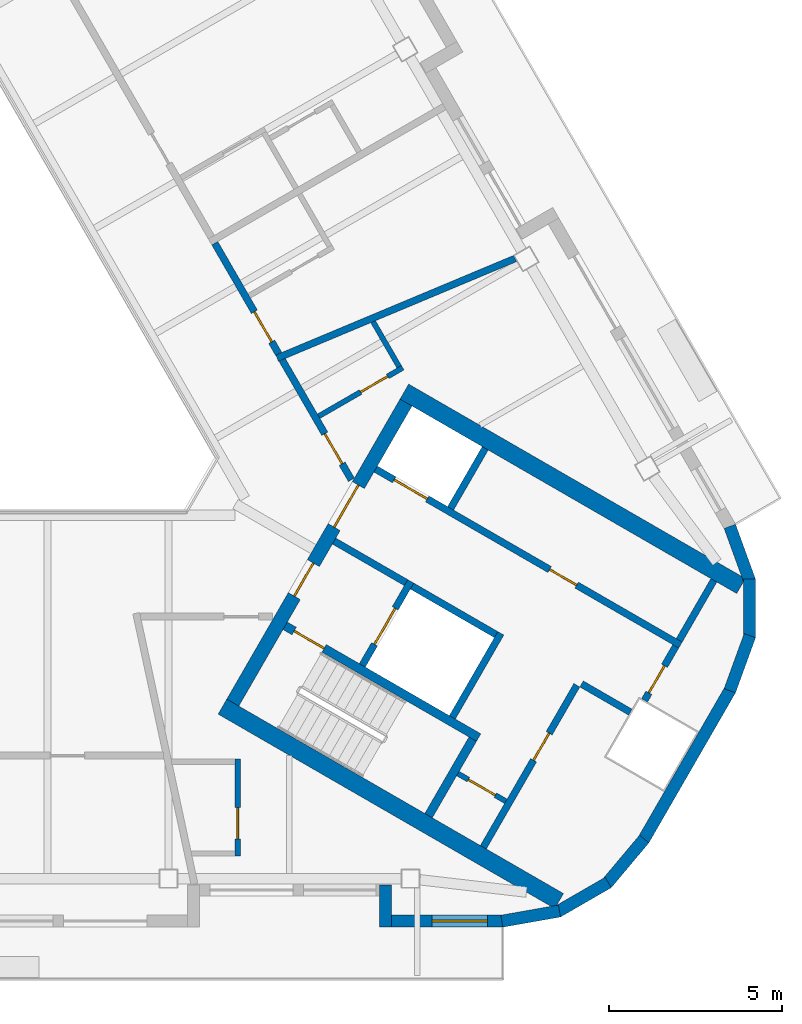
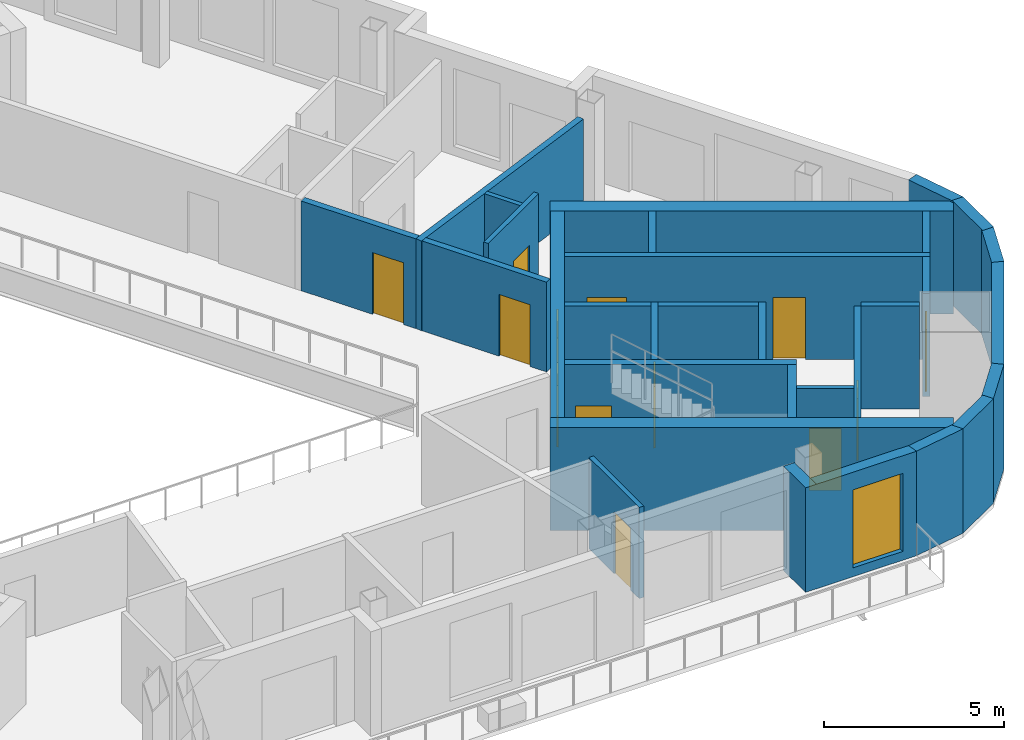
# One storey, part 5 of 12: 31 walls, 13 doors, 1 window, 14 openings.
"""IFC4 building model written with IfcOpenShell, lengths in metres."""

import ifcopenshell
import ifcopenshell.guid

model = None  # the IFC model being written
_history = None  # IfcOwnerHistory: only IFC2X3 demands one
_inside = {}  # id of a spatial element -> (the spatial element, [elements in it])
_under = {}  # id of a project, library or spatial element -> (it, [spatial elements below it])
_declared = {}  # id of a project -> (the project, [libraries it declares])
_typed = {}  # id of a type object -> (the type object, [elements of that type])
_made_of = {}  # id of a material, layer set ... -> (it, [elements and type objects made of it])


def new_model(schema):
    """Start an empty IFC model of exactly this schema.

    Asked for "IFC4X3", IfcOpenShell would pick the latest addendum, in which some entities
    have other attributes; the version numbers below select the first issue.
    IFC2X3 requires an IfcOwnerHistory on every rooted entity: one is made here for all.
    """
    global model, _history
    if schema == "IFC4X3":
        model = ifcopenshell.file(schema_version=(4, 3, 0, 0))
    else:
        model = ifcopenshell.file(schema=schema)
    _inside.clear()
    _under.clear()
    _declared.clear()
    _typed.clear()
    _made_of.clear()
    _history = None
    if model.schema == "IFC2X3":
        org = make("IfcOrganization", Name="unknown")
        user = make(
            "IfcPersonAndOrganization",
            ThePerson=make("IfcPerson", FamilyName="unknown"),
            TheOrganization=org,
        )
        app = make(
            "IfcApplication",
            ApplicationDeveloper=org,
            Version="unknown",
            ApplicationFullName="unknown",
            ApplicationIdentifier="unknown",
        )
        _history = make(
            "IfcOwnerHistory",
            OwningUser=user,
            OwningApplication=app,
            ChangeAction="ADDED",
            CreationDate=0,
        )
    return model


def make(cls, **values):
    """One entity of the class cls with the attributes given. An attribute that is None is left unset."""
    return model.create_entity(
        cls, **{name: value for name, value in values.items() if value is not None}
    )


def rooted(cls, **values):
    """An entity with a GlobalId (a new one), such as an element, a storey or a relation."""
    return make(cls, GlobalId=ifcopenshell.guid.new(), OwnerHistory=_history, **values)


def si_unit(unit_type, name, prefix=None):
    """IfcSIUnit, for example si_unit("LENGTHUNIT", "METRE", prefix="MILLI")."""
    return make("IfcSIUnit", UnitType=unit_type, Prefix=prefix, Name=name)


def assignment(units):
    """IfcUnitAssignment: the units of a project."""
    return None if units is None else make("IfcUnitAssignment", Units=units)


def point(xyz):
    """IfcCartesianPoint."""
    return None if xyz is None else make("IfcCartesianPoint", Coordinates=xyz)


def direction(xyz):
    """IfcDirection."""
    return None if xyz is None else make("IfcDirection", DirectionRatios=xyz)


def frame(location, z_axis=None, x_axis=None):
    """IfcAxis2Placement3D, a coordinate frame: its origin and axes. An axis left out is left unset."""
    return make(
        "IfcAxis2Placement3D",
        Location=point(location),
        Axis=direction(z_axis),
        RefDirection=direction(x_axis),
    )


def frame_2d(location, x_axis=None):
    """IfcAxis2Placement2D, a coordinate frame in the plane: its origin and x axis."""
    return make(
        "IfcAxis2Placement2D", Location=point(location), RefDirection=direction(x_axis)
    )


def origin():
    """The frame at (0, 0, 0) with its axes left unset."""
    return frame((0.0, 0.0, 0.0))


def place(relative_to, where):
    """IfcLocalPlacement: puts the frame where relative to a parent placement (None: the world)."""
    return make(
        "IfcLocalPlacement", PlacementRelTo=relative_to, RelativePlacement=where
    )


def context(
    kind, dimensions, precision=None, world=None, true_north=None, identifier=None
):
    """IfcGeometricRepresentationContext, for example the 3D "Model" context."""
    return make(
        "IfcGeometricRepresentationContext",
        ContextIdentifier=identifier,
        ContextType=kind,
        CoordinateSpaceDimension=dimensions,
        Precision=precision,
        WorldCoordinateSystem=world,
        TrueNorth=true_north,
    )


def subcontext(parent, identifier, kind, view, scale=None):
    """IfcGeometricRepresentationSubContext, for example "Body" below "Model"."""
    return make(
        "IfcGeometricRepresentationSubContext",
        ContextIdentifier=identifier,
        ContextType=kind,
        ParentContext=parent,
        TargetScale=scale,
        TargetView=view,
    )


def project(units=None, contexts=None):
    """IfcProject with its units and contexts."""
    return rooted(
        "IfcProject",
        Name="project",
        RepresentationContexts=contexts,
        UnitsInContext=assignment(units),
    )


def spatial(cls, under=None, at=None, **own):
    """A site, building, storey or space (cls), placed at a placement, below another one or the project."""
    s = rooted(cls, ObjectPlacement=at, **own)
    if under is not None:
        _under.setdefault(under.id(), (under, []))[1].append(s)
    return s


def profile(cls, at=None, kind="AREA", **sizes):
    """A parametric profile (cls). Its sizes go by their IFC names, for example OverallWidth=200.0."""
    return make(cls, ProfileType=kind, Position=at, **sizes)


def rectangle(**sizes):
    """IfcRectangleProfileDef."""
    return profile("IfcRectangleProfileDef", **sizes)


def extrude(swept, where, along, depth):
    """IfcExtrudedAreaSolid: the profile swept, set in the frame where, extruded along a direction by depth."""
    return make(
        "IfcExtrudedAreaSolid",
        SweptArea=swept,
        Position=where,
        ExtrudedDirection=direction(along),
        Depth=depth,
    )


def shape(context_of_items, identifier, shape_type, items):
    """IfcShapeRepresentation: the items that make up one representation, for example the "Body"."""
    return make(
        "IfcShapeRepresentation",
        ContextOfItems=context_of_items,
        RepresentationIdentifier=identifier,
        RepresentationType=shape_type,
        Items=items,
    )


def material(Name=None, Category=None):
    """IfcMaterial."""
    return make("IfcMaterial", Name=Name, Category=Category)


def layer(
    of_material, thickness, ventilated=None, Name=None, Category=None, Priority=None
):
    """IfcMaterialLayer: one layer of a wall or slab, of a material (None: an air gap)."""
    return make(
        "IfcMaterialLayer",
        Material=of_material,
        LayerThickness=thickness,
        IsVentilated=ventilated,
        Name=Name,
        Category=Category,
        Priority=Priority,
    )


def layer_set(layers, Name=None):
    """IfcMaterialLayerSet."""
    return make("IfcMaterialLayerSet", MaterialLayers=layers, LayerSetName=Name)


def made_of(thing, what):
    """Note that an element or type object is made of a material, layer set ...; save() writes the relation."""
    if what is not None:
        _made_of.setdefault(what.id(), (what, []))[1].append(thing)
    return thing


def type_object(cls, material=None, **own):
    """A type object (cls), such as IfcWallType, which elements share."""
    return made_of(rooted(cls, **own), material)


def element(
    cls,
    number,
    at=None,
    inside=None,
    cuts=None,
    type_object=None,
    material=None,
    context=None,
    identifier="Body",
    shape_type=None,
    held_by="IfcProductDefinitionShape",
    body=None,
    shapes=None,
    **own,
):
    """One element of the class cls, such as IfcWall. Its Tag is "e" and its number.

    at: its placement. inside: the storey or other place that contains it. cuts: it is an
    opening in that element (IfcRelVoidsElement). A single representation is given by context,
    identifier, shape_type and body (its items); several are given by shapes. held_by: the class
    of the entity that holds the representations. save() writes the other relations.
    """
    e = rooted(cls, Tag="e%d" % number, ObjectPlacement=at, **own)
    if body is not None:
        shapes = [shape(context, identifier, shape_type, body)]
    if shapes is not None:
        e.Representation = make(held_by, Representations=shapes)
    if inside is not None:
        _inside.setdefault(inside.id(), (inside, []))[1].append(e)
    if cuts is not None:
        rooted(
            "IfcRelVoidsElement", RelatingBuildingElement=cuts, RelatedOpeningElement=e
        )
    if type_object is not None:
        _typed.setdefault(type_object.id(), (type_object, []))[1].append(e)
    return made_of(e, material)


def fill(opening, filler):
    """IfcRelFillsElement: the door or window that sits in an opening."""
    return rooted(
        "IfcRelFillsElement",
        RelatingOpeningElement=opening,
        RelatedBuildingElement=filler,
    )


def aggregate(whole, parts):
    """IfcRelAggregates: a whole, such as a stair, and the parts it consists of."""
    return rooted("IfcRelAggregates", RelatingObject=whole, RelatedObjects=parts)


def save(model, path):
    """Write the relations noted so far, then the file.

    IfcRelAggregates (storeys below a building ...), IfcRelContainedInSpatialStructure (elements
    in a storey), IfcRelDefinesByType, IfcRelAssociatesMaterial and IfcRelDeclares: one each for
    every whole, place, type object, material and project.
    """
    for whole, parts in _under.values():
        aggregate(whole, parts)
    for where, things in _inside.values():
        rooted(
            "IfcRelContainedInSpatialStructure",
            RelatedElements=things,
            RelatingStructure=where,
        )
    for kind, things in _typed.values():
        rooted("IfcRelDefinesByType", RelatedObjects=things, RelatingType=kind)
    for what, things in _made_of.values():
        rooted("IfcRelAssociatesMaterial", RelatedObjects=things, RelatingMaterial=what)
    for by, libraries in _declared.values():
        rooted("IfcRelDeclares", RelatingContext=by, RelatedDefinitions=libraries)
    model.write(path)


model = new_model("IFC4")

# Units and contexts
model_context = context("Model", 3, precision=1e-05, world=origin(), true_north=direction((0.0, 1.0)))
body_context = subcontext(model_context, "Body", "Model", "MODEL_VIEW")
ifc_project = project(units=[si_unit("LENGTHUNIT", "METRE"), si_unit("AREAUNIT", "SQUARE_METRE"), si_unit("VOLUMEUNIT", "CUBIC_METRE"), si_unit("PLANEANGLEUNIT", "RADIAN"), si_unit("MASSUNIT", "GRAM", prefix="KILO")], contexts=[model_context])

# Site, building, storey
site_placement = place(None, origin())
site = spatial("IfcSite", under=ifc_project, at=site_placement, CompositionType="ELEMENT")
building_placement = place(site_placement, origin())
building = spatial("IfcBuilding", under=site, at=building_placement, Name="Apuvela Tower Hotel", CompositionType="ELEMENT")
storey_placement = place(building_placement, frame((0.0, 0.0, 294.800048828125)))
storey = spatial("IfcBuildingStorey", under=building, at=storey_placement, Name="L73", CompositionType="ELEMENT", Elevation=294.800048828125)

# Wall, openings, doors
ifc_material_1 = material(Name="Concrete C50/60", Category="concrete")
ifc_layer_1 = layer(ifc_material_1, 0.39990234375)
ifc_layer_set_1 = layer_set([ifc_layer_1], Name="COR-WALL-CORE-400")
wall_type_1 = type_object("IfcWallType", Name="COR-WALL-CORE-400", PredefinedType="SHEAR", material=ifc_layer_set_1)
wall_1_placement = place(storey_placement, frame((8.844970703125, -10.880126953125, 0.0), z_axis=(0.0, 0.0, 1.0), x_axis=(0.500004234368, 0.866022959057, 0.0)))
wall_1 = element("IfcWall", 1, at=wall_1_placement, inside=storey, type_object=wall_type_1, Name="Core wall SE", PredefinedType="SHEAR", context=body_context, shape_type="SweptSolid", body=[
    extrude(rectangle(XDim=10.0, YDim=0.39990234375, at=frame_2d((5.0, 0.0))), origin(), (0.0, 0.0, 1.0), 3.5),
])
opening_1_placement = place(wall_1_placement, frame((3.550048828125, 0.0, 0.0)))
opening_1 = element("IfcOpeningElement", 2, at=opening_1_placement, cuts=wall_1, Name="Opening E-FD", PredefinedType="OPENING", context=body_context, shape_type="SweptSolid", body=[
    extrude(rectangle(XDim=1.10009765625, YDim=2.10009765625, at=frame_2d((0.550048828125, 1.050048828125))), frame((0.0, 0.2099609375, 0.0), z_axis=(0.0, -1.0, 0.0), x_axis=(1.0, 0.0, 0.0)), (0.0, 0.0, 1.0), 0.419921875),
])
opening_2_placement = place(wall_1_placement, frame((5.85009765625, 0.0, 0.0)))
opening_2 = element("IfcOpeningElement", 3, at=opening_2_placement, cuts=wall_1, Name="Opening E-GD", PredefinedType="OPENING", context=body_context, shape_type="SweptSolid", body=[
    extrude(rectangle(XDim=1.39990234375, YDim=2.10009765625, at=frame_2d((0.699951171875, 1.050048828125))), frame((0.0, 0.2099609375, 0.0), z_axis=(0.0, -1.0, 0.0), x_axis=(1.0, 0.0, 0.0)), (0.0, 0.0, 1.0), 0.419921875),
])
ifc_material_2 = material(Name="Steel fire door, powder coated", Category="steel")
door_type_1 = type_object("IfcDoorType", Name="COR-FD-1100", OperationType="NOTDEFINED", PredefinedType="DOOR", material=ifc_material_2)
door_1_placement = place(opening_1_placement, frame((1.10009765625, 0.0, 0.0), z_axis=(0.0, 0.0, 1.0), x_axis=(-1.0, 0.0, 0.0)))
door_1 = element("IfcDoor", 4, at=door_1_placement, inside=storey, type_object=door_type_1, Name="Firefighting lobby door E-FD", OperationType="SINGLE_SWING_LEFT", OverallHeight=2.10009765625, OverallWidth=1.10009765625, PredefinedType="DOOR", context=body_context, shape_type="SweptSolid", body=[
    extrude(rectangle(XDim=1.10009765625, YDim=2.10009765625, at=frame_2d((0.550048828125, 1.050048828125))), frame((0.0, 0.02490234375, 0.0), z_axis=(0.0, -1.0, 0.0), x_axis=(1.0, 0.0, 0.0)), (0.0, 0.0, 1.0), 0.050048828125),
])
fill(opening_1, door_1)
ifc_material_3 = material(Name="Glazed steel fire door", Category="steel")
door_type_2 = type_object("IfcDoorType", Name="COR-GD-1400", OperationType="DOUBLE_DOOR_SINGLE_SWING", PredefinedType="DOOR", material=ifc_material_3)
door_2_placement = place(opening_2_placement, frame((1.39990234375, 0.0, 0.0), z_axis=(0.0, 0.0, 1.0), x_axis=(-1.0, 0.0, 0.0)))
door_2 = element("IfcDoor", 5, at=door_2_placement, inside=storey, type_object=door_type_2, Name="Lift lobby door E-GD", OperationType="DOUBLE_DOOR_SINGLE_SWING", OverallHeight=2.10009765625, OverallWidth=1.39990234375, PredefinedType="DOOR", context=body_context, shape_type="SweptSolid", body=[
    extrude(rectangle(XDim=1.39990234375, YDim=2.10009765625, at=frame_2d((0.699951171875, 1.050048828125))), frame((0.0, 0.02490234375, 0.0), z_axis=(0.0, -1.0, 0.0), x_axis=(1.0, 0.0, 0.0)), (0.0, 0.0, 1.0), 0.050048828125),
])
fill(opening_2, door_2)

# Walls
ifc_layer_2 = layer(ifc_material_1, 0.5)
ifc_layer_set_2 = layer_set([ifc_layer_2], Name="COR-WALL-CORE-500")
wall_type_2 = type_object("IfcWallType", Name="COR-WALL-CORE-500", PredefinedType="SHEAR", material=ifc_layer_set_2)
for number, where, z_axis, x_axis, name in (
    (6, (8.546630859375, -10.99658203125, 0.0), (0.0, 0.0, 1.0), (0.866025449148, -0.499999921427, 0.0), "Core wall SE"),
    (7, (13.796630859375, -1.9033203125, 0.0), (0.0, 0.0, 1.0), (0.866025449148, -0.499999921427, 0.0), "Core wall SE"),
):
    element("IfcWall", number, at=place(storey_placement, frame(where, z_axis=z_axis, x_axis=x_axis)), inside=storey, type_object=wall_type_2, Name=name, PredefinedType="SHEAR", context=body_context, shape_type="SweptSolid", body=[
        extrude(rectangle(XDim=11.2216796875, YDim=0.5, at=frame_2d((5.61083984375, 0.0))), origin(), (0.0, 0.0, 1.0), 3.5),
    ])

# Wall, opening, door
ifc_material_4 = material(Name="Blockwork 150 mm plastered", Category="masonry")
ifc_layer_3 = layer(ifc_material_4, 0.14990234375)
ifc_layer_set_3 = layer_set([ifc_layer_3], Name="COR-WALL-PART-150")
wall_type_3 = type_object("IfcWallType", Name="COR-WALL-PART-150", PredefinedType="PARTITIONING", material=ifc_layer_set_3)
wall_2_placement = place(storey_placement, frame((15.341552734375, -12.927734375, 0.0), z_axis=(0.0, 0.0, 1.0), x_axis=(0.865989903783, -0.500061482766, 0.0)))
wall_2 = element("IfcWall", 8, at=wall_2_placement, inside=storey, type_object=wall_type_3, Name="Partition SE", PredefinedType="PARTITIONING", context=body_context, shape_type="SweptSolid", body=[
    extrude(rectangle(XDim=1.599853515625, YDim=0.14990234375, at=frame_2d((0.7998046875, 0.0))), origin(), (0.0, 0.0, 1.0), 3.5),
])
opening_3_placement = place(wall_2_placement, frame((0.35009765625, 0.0, 0.0)))
opening_3 = element("IfcOpeningElement", 9, at=opening_3_placement, cuts=wall_2, Name="Opening E-RD", PredefinedType="OPENING", context=body_context, shape_type="SweptSolid", body=[
    extrude(rectangle(XDim=0.89990234375, YDim=2.10009765625, at=frame_2d((0.449951171875, 1.050048828125))), frame((0.0, 0.0849609375, 0.0), z_axis=(0.0, -1.0, 0.0), x_axis=(1.0, 0.0, 0.0)), (0.0, 0.0, 1.0), 0.169921875),
])
ifc_material_5 = material(Name="Steel access door, powder coated", Category="steel")
door_type_3 = type_object("IfcDoorType", Name="COR-RD-900", OperationType="NOTDEFINED", PredefinedType="DOOR", material=ifc_material_5)
door_3_placement = place(opening_3_placement, frame((0.89990234375, 0.0, 0.0), z_axis=(0.0, 0.0, 1.0), x_axis=(-1.0, 0.0, 0.0)))
door_3 = element("IfcDoor", 10, at=door_3_placement, inside=storey, type_object=door_type_3, Name="Riser door E-RD", OperationType="SINGLE_SWING_LEFT", OverallHeight=2.10009765625, OverallWidth=0.89990234375, PredefinedType="DOOR", context=body_context, shape_type="SweptSolid", body=[
    extrude(rectangle(XDim=0.89990234375, YDim=2.10009765625, at=frame_2d((0.449951171875, 1.050048828125))), frame((0.0, 0.02490234375, 0.0), z_axis=(0.0, -1.0, 0.0), x_axis=(1.0, 0.0, 0.0)), (0.0, 0.0, 1.0), 0.050048828125),
])
fill(opening_3, door_3)

ifc_material_6 = material(Name="Blockwork 200 mm plastered", Category="masonry")
ifc_layer_4 = layer(ifc_material_6, 0.199951171875)
ifc_layer_set_4 = layer_set([ifc_layer_4], Name="COR-WALL-PART-200")
wall_type_4 = type_object("IfcWallType", Name="COR-WALL-PART-200", PredefinedType="PARTITIONING", material=ifc_layer_set_4)
wall_3_placement = place(storey_placement, frame((16.076171875, -15.05517578125, 0.0), z_axis=(0.0, 0.0, 1.0), x_axis=(0.499995103361, 0.866028230842, 0.0)))
wall_3 = element("IfcWall", 11, at=wall_3_placement, inside=storey, type_object=wall_type_4, Name="Partition SE", PredefinedType="PARTITIONING", context=body_context, shape_type="SweptSolid", body=[
    extrude(rectangle(XDim=5.39990234375, YDim=0.199951171875, at=frame_2d((2.699951171875, 0.0))), origin(), (0.0, 0.0, 1.0), 3.5),
])
opening_4_placement = place(wall_3_placement, frame((2.89990234375, 0.0, 0.0)))
opening_4 = element("IfcOpeningElement", 12, at=opening_4_placement, cuts=wall_3, Name="Opening E-RS1", PredefinedType="OPENING", context=body_context, shape_type="SweptSolid", body=[
    extrude(rectangle(XDim=0.89990234375, YDim=2.10009765625, at=frame_2d((0.449951171875, 1.050048828125))), frame((0.0, 0.10986328125, 0.0), z_axis=(0.0, -1.0, 0.0), x_axis=(1.0, 0.0, 0.0)), (0.0, 0.0, 1.0), 0.219970703125),
])
door_type_4 = type_object("IfcDoorType", Name="COR-DR-900", OperationType="NOTDEFINED", PredefinedType="DOOR", material=ifc_material_2)
door_4_placement = place(opening_4_placement, frame((0.89990234375, 0.0, 0.0), z_axis=(0.0, 0.0, 1.0), x_axis=(-1.0, 0.0, 0.0)))
door_4 = element("IfcDoor", 13, at=door_4_placement, inside=storey, type_object=door_type_4, Name="Store door E-RS1", OperationType="SINGLE_SWING_LEFT", OverallHeight=2.10009765625, OverallWidth=0.89990234375, PredefinedType="DOOR", context=body_context, shape_type="SweptSolid", body=[
    extrude(rectangle(XDim=0.89990234375, YDim=2.10009765625, at=frame_2d((0.449951171875, 1.050048828125))), frame((0.0, 0.02490234375, 0.0), z_axis=(0.0, -1.0, 0.0), x_axis=(1.0, 0.0, 0.0)), (0.0, 0.0, 1.0), 0.050048828125),
])
fill(opening_4, door_4)

# Wall
ifc_layer_5 = layer(ifc_material_1, 0.199951171875)
ifc_layer_set_5 = layer_set([ifc_layer_5], Name="COR-WALL-SHAFT-200")
wall_type_5 = type_object("IfcWallType", Name="COR-WALL-SHAFT-200", PredefinedType="SHEAR", material=ifc_layer_set_5)
wall_4_placement = place(storey_placement, frame((15.181396484375, -11.305419921875, 0.0), z_axis=(0.0, 0.0, 1.0), x_axis=(0.49994636267, 0.866056369097, 0.0)))
element("IfcWall", 14, at=wall_4_placement, inside=storey, type_object=wall_type_5, Name="Shaft wall SE", PredefinedType="SHEAR", context=body_context, shape_type="SweptSolid", body=[
    extrude(rectangle(XDim=2.800048828125, YDim=0.199951171875, at=frame_2d((1.39990234375, 0.0))), origin(), (0.0, 0.0, 1.0), 3.5),
])

# Wall, opening, door
wall_5_placement = place(storey_placement, frame((12.583251953125, -9.805419921875, 0.0), z_axis=(0.0, 0.0, 1.0), x_axis=(0.49994636267, 0.866056369097, 0.0)))
wall_5 = element("IfcWall", 15, at=wall_5_placement, inside=storey, type_object=wall_type_5, Name="Shaft wall SE", PredefinedType="SHEAR", context=body_context, shape_type="SweptSolid", body=[
    extrude(rectangle(XDim=2.800048828125, YDim=0.199951171875, at=frame_2d((1.39990234375, 0.0))), origin(), (0.0, 0.0, 1.0), 3.5),
])
opening_5_placement = place(wall_5_placement, frame((0.699951171875, 0.0, 0.0)))
opening_5 = element("IfcOpeningElement", 16, at=opening_5_placement, cuts=wall_5, Name="Opening E-LD-FS3", PredefinedType="OPENING", context=body_context, shape_type="SweptSolid", body=[
    extrude(rectangle(XDim=1.199951171875, YDim=2.10009765625, at=frame_2d((0.60009765625, 1.050048828125))), frame((0.0, 0.10986328125, 0.0), z_axis=(0.0, -1.0, 0.0), x_axis=(1.0, 0.0, 0.0)), (0.0, 0.0, 1.0), 0.219970703125),
])
ifc_material_7 = material(Name="Stainless steel lift landing door", Category="steel")
door_type_5 = type_object("IfcDoorType", Name="COR-LD-1200", OperationType="DOUBLE_DOOR_SLIDING", PredefinedType="DOOR", material=ifc_material_7)
door_5_placement = place(opening_5_placement, origin())
door_5 = element("IfcDoor", 17, at=door_5_placement, inside=storey, type_object=door_type_5, Name="Lift landing door E-LD-FS3", OperationType="DOUBLE_DOOR_SLIDING", OverallHeight=2.10009765625, OverallWidth=1.199951171875, PredefinedType="DOOR", context=body_context, shape_type="SweptSolid", body=[
    extrude(rectangle(XDim=1.199951171875, YDim=2.10009765625, at=frame_2d((0.60009765625, 1.050048828125))), frame((0.0, 0.02490234375, 0.0), z_axis=(0.0, -1.0, 0.0), x_axis=(1.0, 0.0, 0.0)), (0.0, 0.0, 1.0), 0.050048828125),
])
fill(opening_5, door_5)

# Walls
wall_6_placement = place(storey_placement, frame((11.76806640625, -6.217041015625, 0.0), z_axis=(0.0, 0.0, 1.0), x_axis=(0.866050077142, -0.499957262057, 0.0)))
element("IfcWall", 18, at=wall_6_placement, inside=storey, type_object=wall_type_5, Name="Shaft wall SE", PredefinedType="SHEAR", context=body_context, shape_type="SweptSolid", body=[
    extrude(rectangle(XDim=2.400146484375, YDim=0.199951171875, at=frame_2d((1.2001953125, 0.0))), origin(), (0.0, 0.0, 1.0), 3.5),
])
wall_7_placement = place(storey_placement, frame((14.019775390625, -7.51708984375, 0.0), z_axis=(0.0, 0.0, 1.0), x_axis=(0.866034573852, -0.49998411664, 0.0)))
element("IfcWall", 19, at=wall_7_placement, inside=storey, type_object=wall_type_5, Name="Shaft wall SE", PredefinedType="SHEAR", context=body_context, shape_type="SweptSolid", body=[
    extrude(rectangle(XDim=2.7998046875, YDim=0.199951171875, at=frame_2d((1.39990234375, 0.0))), origin(), (0.0, 0.0, 1.0), 3.5),
])

# Wall, openings, doors
wall_8_placement = place(storey_placement, frame((12.968017578125, -4.138427734375, 0.0), z_axis=(0.0, 0.0, 1.0), x_axis=(0.866028328073, -0.49999493495, 0.0)))
wall_8 = element("IfcWall", 20, at=wall_8_placement, inside=storey, type_object=wall_type_5, Name="Shaft wall SE", PredefinedType="SHEAR", context=body_context, shape_type="SweptSolid", body=[
    extrude(rectangle(XDim=10.16015625, YDim=0.199951171875, at=frame_2d((5.080078125, 0.0))), origin(), (0.0, 0.0, 1.0), 3.5),
])
opening_6_placement = place(wall_8_placement, frame((0.6201171875, 0.0, 0.0)))
opening_6 = element("IfcOpeningElement", 21, at=opening_6_placement, cuts=wall_8, Name="Opening E-LD-HR3", PredefinedType="OPENING", context=body_context, shape_type="SweptSolid", body=[
    extrude(rectangle(XDim=1.10009765625, YDim=2.10009765625, at=frame_2d((0.550048828125, 1.050048828125))), frame((0.0, 0.10986328125, 0.0), z_axis=(0.0, -1.0, 0.0), x_axis=(1.0, 0.0, 0.0)), (0.0, 0.0, 1.0), 0.219970703125),
])
opening_7_placement = place(wall_8_placement, frame((5.800048828125, 0.0, 0.0)))
opening_7 = element("IfcOpeningElement", 22, at=opening_7_placement, cuts=wall_8, Name="Opening E-RE2", PredefinedType="OPENING", context=body_context, shape_type="SweptSolid", body=[
    extrude(rectangle(XDim=0.89990234375, YDim=2.10009765625, at=frame_2d((0.449951171875, 1.050048828125))), frame((0.0, 0.10986328125, 0.0), z_axis=(0.0, -1.0, 0.0), x_axis=(1.0, 0.0, 0.0)), (0.0, 0.0, 1.0), 0.219970703125),
])
door_6_placement = place(opening_7_placement, origin())
door_6 = element("IfcDoor", 23, at=door_6_placement, inside=storey, type_object=door_type_4, Name="Store door E-RE2", OperationType="SINGLE_SWING_LEFT", OverallHeight=2.10009765625, OverallWidth=0.89990234375, PredefinedType="DOOR", context=body_context, shape_type="SweptSolid", body=[
    extrude(rectangle(XDim=0.89990234375, YDim=2.10009765625, at=frame_2d((0.449951171875, 1.050048828125))), frame((0.0, 0.02490234375, 0.0), z_axis=(0.0, -1.0, 0.0), x_axis=(1.0, 0.0, 0.0)), (0.0, 0.0, 1.0), 0.050048828125),
])
fill(opening_7, door_6)
door_type_6 = type_object("IfcDoorType", Name="COR-LD-1100", OperationType="DOUBLE_DOOR_SLIDING", PredefinedType="DOOR", material=ifc_material_7)
door_7_placement = place(opening_6_placement, origin())
door_7 = element("IfcDoor", 24, at=door_7_placement, inside=storey, type_object=door_type_6, Name="Lift landing door E-LD-HR3", OperationType="DOUBLE_DOOR_SLIDING", OverallHeight=2.10009765625, OverallWidth=1.10009765625, PredefinedType="DOOR", context=body_context, shape_type="SweptSolid", body=[
    extrude(rectangle(XDim=1.10009765625, YDim=2.10009765625, at=frame_2d((0.550048828125, 1.050048828125))), frame((0.0, 0.02490234375, 0.0), z_axis=(0.0, -1.0, 0.0), x_axis=(1.0, 0.0, 0.0)), (0.0, 0.0, 1.0), 0.050048828125),
])
fill(opening_6, door_7)

# Wall, opening, door
wall_9_placement = place(storey_placement, frame((20.73046875, -10.81396484375, 0.0), z_axis=(0.0, 0.0, 1.0), x_axis=(0.499961193289, 0.866047807691, 0.0)))
wall_9 = element("IfcWall", 25, at=wall_9_placement, inside=storey, type_object=wall_type_5, Name="Shaft wall SE", PredefinedType="SHEAR", context=body_context, shape_type="SweptSolid", body=[
    extrude(rectangle(XDim=1.800048828125, YDim=0.199951171875, at=frame_2d((0.89990234375, 0.0))), origin(), (0.0, 0.0, 1.0), 3.5),
])
opening_8_placement = place(wall_9_placement, frame((0.25, 0.0, 0.0)))
opening_8 = element("IfcOpeningElement", 26, at=opening_8_placement, cuts=wall_9, Name="Opening E-REP", PredefinedType="OPENING", context=body_context, shape_type="SweptSolid", body=[
    extrude(rectangle(XDim=0.89990234375, YDim=2.10009765625, at=frame_2d((0.449951171875, 1.050048828125))), frame((0.0, 0.10986328125, 0.0), z_axis=(0.0, -1.0, 0.0), x_axis=(1.0, 0.0, 0.0)), (0.0, 0.0, 1.0), 0.219970703125),
])
door_8_placement = place(opening_8_placement, frame((0.89990234375, 0.0, 0.0), z_axis=(0.0, 0.0, 1.0), x_axis=(-1.0, 0.0, 0.0)))
door_8 = element("IfcDoor", 27, at=door_8_placement, inside=storey, type_object=door_type_4, Name="Store door E-REP", OperationType="SINGLE_SWING_RIGHT", OverallHeight=2.10009765625, OverallWidth=0.89990234375, PredefinedType="DOOR", context=body_context, shape_type="SweptSolid", body=[
    extrude(rectangle(XDim=0.89990234375, YDim=2.10009765625, at=frame_2d((0.449951171875, 1.050048828125))), frame((0.0, 0.02490234375, 0.0), z_axis=(0.0, -1.0, 0.0), x_axis=(1.0, 0.0, 0.0)), (0.0, 0.0, 1.0), 0.050048828125),
])
fill(opening_8, door_8)

# Walls
wall_10_placement = place(storey_placement, frame((18.912841796875, -10.342041015625, 0.0), z_axis=(0.0, 0.0, 1.0), x_axis=(0.866053003207, -0.499952193351, 0.0)))
element("IfcWall", 28, at=wall_10_placement, inside=storey, type_object=wall_type_5, Name="Shaft wall SE", PredefinedType="SHEAR", context=body_context, shape_type="SweptSolid", body=[
    extrude(rectangle(XDim=1.625244140625, YDim=0.199951171875, at=frame_2d((0.8125, 0.0))), origin(), (0.0, 0.0, 1.0), 3.5),
])
for number, where, z_axis, x_axis, name in (
    (29, (15.131103515625, -5.27197265625, 0.0), (0.0, 0.0, 1.0), (0.499972520799, 0.866041268327, 0.0), "Shaft wall SE"),
    (30, (21.73046875, -9.081787109375, 0.0), (0.0, 0.0, 1.0), (0.50002537861, 0.866010750942, 0.0), "Shaft wall SE"),
):
    element("IfcWall", number, at=place(storey_placement, frame(where, z_axis=z_axis, x_axis=x_axis)), inside=storey, type_object=wall_type_5, Name=name, PredefinedType="SHEAR", context=body_context, shape_type="SweptSolid", body=[
        extrude(rectangle(XDim=2.0, YDim=0.199951171875, at=frame_2d((1.0, 0.0))), origin(), (0.0, 0.0, 1.0), 3.5),
    ])

# Wall, opening, door
ifc_layer_6 = layer(ifc_material_1, 0.25)
ifc_layer_set_6 = layer_set([ifc_layer_6], Name="COR-WALL-STAIR-250")
wall_type_6 = type_object("IfcWallType", Name="COR-WALL-STAIR-250", PredefinedType="SHEAR", material=ifc_layer_set_6)
wall_11_placement = place(storey_placement, frame((10.355712890625, -8.66357421875, 0.0), z_axis=(0.0, 0.0, 1.0), x_axis=(0.866028629588, -0.499994412703, 0.0)))
wall_11 = element("IfcWall", 31, at=wall_11_placement, inside=storey, type_object=wall_type_6, Name="Stair wall SE", PredefinedType="SHEAR", context=body_context, shape_type="SweptSolid", body=[
    extrude(rectangle(XDim=6.44970703125, YDim=0.25, at=frame_2d((3.224853515625, 0.0))), origin(), (0.0, 0.0, 1.0), 3.5),
])
opening_9_placement = place(wall_11_placement, frame((0.300048828125, 0.0, 0.0)))
opening_9 = element("IfcOpeningElement", 32, at=opening_9_placement, cuts=wall_11, Name="Opening E-SD", PredefinedType="OPENING", context=body_context, shape_type="SweptSolid", body=[
    extrude(rectangle(XDim=1.0, YDim=2.10009765625, at=frame_2d((0.5, 1.050048828125))), frame((0.0, 0.135009765625, 0.0), z_axis=(0.0, -1.0, 0.0), x_axis=(1.0, 0.0, 0.0)), (0.0, 0.0, 1.0), 0.27001953125),
])
door_type_7 = type_object("IfcDoorType", Name="COR-SD-1000", OperationType="NOTDEFINED", PredefinedType="DOOR", material=ifc_material_2)
door_9_placement = place(opening_9_placement, frame((1.0, 0.0, 0.0), z_axis=(0.0, 0.0, 1.0), x_axis=(-1.0, 0.0, 0.0)))
door_9 = element("IfcDoor", 33, at=door_9_placement, inside=storey, type_object=door_type_7, Name="Stair door E-SD", OperationType="SINGLE_SWING_LEFT", OverallHeight=2.10009765625, OverallWidth=1.0, PredefinedType="DOOR", context=body_context, shape_type="SweptSolid", body=[
    extrude(rectangle(XDim=1.0, YDim=2.10009765625, at=frame_2d((0.5, 1.050048828125))), frame((0.0, 0.02490234375, 0.0), z_axis=(0.0, -1.0, 0.0), x_axis=(1.0, 0.0, 0.0)), (0.0, 0.0, 1.0), 0.050048828125),
])
fill(opening_9, door_9)

# Walls
wall_12_placement = place(storey_placement, frame((14.49560546875, -14.142578125, 0.0), z_axis=(0.0, 0.0, 1.0), x_axis=(0.500062241894, 0.865989465428, 0.0)))
element("IfcWall", 34, at=wall_12_placement, inside=storey, type_object=wall_type_6, Name="Stair wall SE", PredefinedType="SHEAR", context=body_context, shape_type="SweptSolid", body=[
    extrude(rectangle(XDim=2.550048828125, YDim=0.25, at=frame_2d((1.27490234375, 0.0))), origin(), (0.0, 0.0, 1.0), 3.5),
])
ifc_material_8 = material(Name="Concrete C40/50, dark pigmented precast panel", Category="concrete")
ifc_layer_7 = layer(ifc_material_8, 0.35009765625)
ifc_layer_set_7 = layer_set([ifc_layer_7], Name="ENV-WALL-350")
wall_type_7 = type_object("IfcWallType", Name="ENV-WALL-350", PredefinedType="SOLIDWALL", material=ifc_layer_set_7)
wall_13_placement = place(storey_placement, frame((13.249267578125, -16.1416015625, 0.0), z_axis=(0.0, 0.0, 1.0), x_axis=(0.0, -1.0, 0.0)))
element("IfcWall", 35, at=wall_13_placement, inside=storey, type_object=wall_type_7, Name="External wall L73-24", PredefinedType="SOLIDWALL", context=body_context, shape_type="SweptSolid", body=[
    extrude(rectangle(XDim=1.219970703125, YDim=0.35009765625, at=frame_2d((0.60986328125, 0.0))), origin(), (0.0, 0.0, 1.0), 3.550048828125),
])

# Wall, opening, window
wall_14_placement = place(storey_placement, frame((13.07421875, -17.1865234375, 0.0), z_axis=(0.0, 0.0, 1.0), x_axis=(1.0, 0.0, 0.0)))
wall_14 = element("IfcWall", 36, at=wall_14_placement, inside=storey, type_object=wall_type_7, Name="External wall L73-25", PredefinedType="SOLIDWALL", context=body_context, shape_type="SweptSolid", body=[
    extrude(rectangle(XDim=3.5673828125, YDim=0.35009765625, at=frame_2d((1.78369140625, 0.0))), origin(), (0.0, 0.0, 1.0), 3.550048828125),
])
opening_10_placement = place(wall_14_placement, frame((1.52490234375, 0.0, 0.300048828125)))
opening_10 = element("IfcOpeningElement", 37, at=opening_10_placement, cuts=wall_14, Name="Opening WN16", PredefinedType="OPENING", context=body_context, shape_type="SweptSolid", body=[
    extrude(rectangle(XDim=1.60009765625, YDim=2.64990234375, at=frame_2d((0.800048828125, 1.324951171875))), frame((0.0, 0.18505859375, 0.0), z_axis=(0.0, -1.0, 0.0), x_axis=(1.0, 0.0, 0.0)), (0.0, 0.0, 1.0), 0.3701171875),
])
ifc_material_9 = material(Name="Glass, dark tinted laminated insulated glazing unit", Category="glass")
window_type = type_object("IfcWindowType", Name="ENV-WIN-1600x2650", PartitioningType="SINGLE_PANEL", PredefinedType="WINDOW", material=ifc_material_9)
window_placement = place(opening_10_placement, origin())
window = element("IfcWindow", 38, at=window_placement, inside=storey, type_object=window_type, Name="Window WN16", OverallHeight=2.64990234375, OverallWidth=1.60009765625, PartitioningType="SINGLE_PANEL", PredefinedType="WINDOW", context=body_context, shape_type="SweptSolid", body=[
    extrude(rectangle(XDim=1.60009765625, YDim=2.64990234375, at=frame_2d((0.800048828125, 1.324951171875))), frame((0.0, 0.030029296875, 0.0), z_axis=(0.0, -1.0, 0.0), x_axis=(1.0, 0.0, 0.0)), (0.0, 0.0, 1.0), 0.06005859375),
])
fill(opening_10, window)

# Walls
for number, where, z_axis, x_axis, name in (
    (39, (16.611083984375, -17.189208984375, 0.0), (0.0, 0.0, 1.0), (0.984824265658, 0.17355450375, 0.0), "External wall L73-26"),
    (40, (18.2177734375, -16.916748046875, 0.0), (0.0, 0.0, 1.0), (0.866029168372, 0.499993479487, 0.0), "External wall L73-27"),
):
    element("IfcWall", number, at=place(storey_placement, frame(where, z_axis=z_axis, x_axis=x_axis)), inside=storey, type_object=wall_type_7, Name=name, PredefinedType="SOLIDWALL", context=body_context, shape_type="SweptSolid", body=[
        extrude(rectangle(XDim=1.689453125, YDim=0.35009765625, at=frame_2d((0.8447265625, 0.0))), origin(), (0.0, 0.0, 1.0), 3.550048828125),
    ])
wall_15_placement = place(storey_placement, frame((19.634521484375, -16.111083984375, 0.0), z_axis=(0.0, 0.0, 1.0), x_axis=(0.642697100627, 0.766120380127, 0.0)))
element("IfcWall", 41, at=wall_15_placement, inside=storey, type_object=wall_type_7, Name="External wall L73-28", PredefinedType="SOLIDWALL", context=body_context, shape_type="SweptSolid", body=[
    extrude(rectangle(XDim=1.689208984375, YDim=0.35009765625, at=frame_2d((0.8447265625, 0.0))), origin(), (0.0, 0.0, 1.0), 3.550048828125),
])
wall_16_placement = place(storey_placement, frame((20.70263671875, -14.841796875, 0.0), z_axis=(0.0, 0.0, 1.0), x_axis=(0.500016662025, 0.866015783746, 0.0)))
element("IfcWall", 42, at=wall_16_placement, inside=storey, type_object=wall_type_7, Name="External wall L73-29", PredefinedType="SOLIDWALL", context=body_context, shape_type="SweptSolid", body=[
    extrude(rectangle(XDim=5.004150390625, YDim=0.35009765625, at=frame_2d((2.501953125, 0.0))), origin(), (0.0, 0.0, 1.0), 3.550048828125),
])
for number, where, z_axis, x_axis, name in (
    (43, (23.19189453125, -10.535888671875, 0.0), (0.0, 0.0, 1.0), (0.342033102914, 0.93968790378, 0.0), "External wall L73-30"),
    (44, (23.75927734375, -9.008056640625, 0.0), (0.0, 0.0, 1.0), (0.0, 1.0, 0.0), "External wall L73-31"),
    (45, (23.769775390625, -7.378662109375, 0.0), (0.0, 0.0, 1.0), (-0.342033102914, 0.93968790378, 0.0), "External wall L73-32"),
):
    element("IfcWall", number, at=place(storey_placement, frame(where, z_axis=z_axis, x_axis=x_axis)), inside=storey, type_object=wall_type_7, Name=name, PredefinedType="SOLIDWALL", context=body_context, shape_type="SweptSolid", body=[
        extrude(rectangle(XDim=1.689453125, YDim=0.35009765625, at=frame_2d((0.8447265625, 0.0))), origin(), (0.0, 0.0, 1.0), 3.550048828125),
    ])
ifc_material_10 = material(Name="Gypsum board partition on twin steel stud", Category="steel")
ifc_layer_8 = layer(ifc_material_10, 0.199951171875)
ifc_layer_set_8 = layer_set([ifc_layer_8], Name="GST-PW1")
wall_type_8 = type_object("IfcWallType", Name="GST-PW1", PredefinedType="PARTITIONING", material=ifc_layer_set_8)
wall_17_placement = place(storey_placement, frame((16.993896484375, 1.938720703125, 0.0), z_axis=(0.0, 0.0, 1.0), x_axis=(-0.922394541425, -0.386249025824, 0.0)))
element("IfcWall", 46, at=wall_17_placement, inside=storey, type_object=wall_type_8, Name="L73 partition 04", PredefinedType="PARTITIONING", context=body_context, shape_type="SweptSolid", body=[
    extrude(rectangle(XDim=7.446533203125, YDim=0.199951171875, at=frame_2d((3.72314453125, 0.0))), origin(), (0.0, 0.0, 1.0), 3.050048828125),
])

# Wall, opening, door
ifc_material_11 = material(Name="Gypsum board corridor wall on twin steel stud, acoustic", Category="steel")
ifc_layer_9 = layer(ifc_material_11, 0.199951171875)
ifc_layer_set_9 = layer_set([ifc_layer_9], Name="GST-PW2")
wall_type_9 = type_object("IfcWallType", Name="GST-PW2", PredefinedType="PARTITIONING", material=ifc_layer_set_9)
wall_18_placement = place(storey_placement, frame((10.2685546875, -0.98583984375, 0.0), z_axis=(0.0, 0.0, 1.0), x_axis=(0.50004472278, -0.865999581536, 0.0)))
wall_18 = element("IfcWall", 47, at=wall_18_placement, inside=storey, type_object=wall_type_9, Name="L73 partition 19", PredefinedType="PARTITIONING", context=body_context, shape_type="SweptSolid", body=[
    extrude(rectangle(XDim=4.000244140625, YDim=0.199951171875, at=frame_2d((2.0, 0.0))), origin(), (0.0, 0.0, 1.0), 3.050048828125),
])
opening_11_placement = place(wall_18_placement, frame((2.462890625, 0.0, 0.0)))
opening_11 = element("IfcOpeningElement", 48, at=opening_11_placement, cuts=wall_18, Name="Opening GD29-08", PredefinedType="OPENING", context=body_context, shape_type="SweptSolid", body=[
    extrude(rectangle(XDim=1.0, YDim=2.10009765625, at=frame_2d((0.5, 1.050048828125))), frame((0.0, 0.10986328125, 0.0), z_axis=(0.0, -1.0, 0.0), x_axis=(1.0, 0.0, 0.0)), (0.0, 0.0, 1.0), 0.219970703125),
])
ifc_material_12 = material(Name="Timber door leaf in steel frame", Category="steel")
door_type_8 = type_object("IfcDoorType", Name="GST-D1", OperationType="NOTDEFINED", PredefinedType="DOOR", material=ifc_material_12)
door_10_placement = place(opening_11_placement, origin())
door_10 = element("IfcDoor", 49, at=door_10_placement, inside=storey, type_object=door_type_8, Name="Door L73-08", OperationType="SINGLE_SWING_RIGHT", OverallHeight=2.10009765625, OverallWidth=1.0, PredefinedType="DOOR", context=body_context, shape_type="SweptSolid", body=[
    extrude(rectangle(XDim=1.0, YDim=2.10009765625, at=frame_2d((0.5, 1.050048828125))), frame((0.0, 0.02490234375, 0.0), z_axis=(0.0, -1.0, 0.0), x_axis=(1.0, 0.0, 0.0)), (0.0, 0.0, 1.0), 0.050048828125),
])
fill(opening_11, door_10)

wall_19_placement = place(storey_placement, frame((8.32470703125, 2.38134765625, 0.0), z_axis=(0.0, 0.0, 1.0), x_axis=(0.499949858301, -0.866054351173, 0.0)))
wall_19 = element("IfcWall", 50, at=wall_19_placement, inside=storey, type_object=wall_type_9, Name="L73 partition 22", PredefinedType="PARTITIONING", context=body_context, shape_type="SweptSolid", body=[
    extrude(rectangle(XDim=3.6865234375, YDim=0.199951171875, at=frame_2d((1.84326171875, 0.0))), origin(), (0.0, 0.0, 1.0), 3.050048828125),
])
opening_12_placement = place(wall_19_placement, frame((2.286376953125, 0.0, 0.0)))
opening_12 = element("IfcOpeningElement", 51, at=opening_12_placement, cuts=wall_19, Name="Opening GD29-10", PredefinedType="OPENING", context=body_context, shape_type="SweptSolid", body=[
    extrude(rectangle(XDim=1.0, YDim=2.10009765625, at=frame_2d((0.5, 1.050048828125))), frame((0.0, 0.10986328125, 0.0), z_axis=(0.0, -1.0, 0.0), x_axis=(1.0, 0.0, 0.0)), (0.0, 0.0, 1.0), 0.219970703125),
])
door_11_placement = place(opening_12_placement, origin())
door_11 = element("IfcDoor", 52, at=door_11_placement, inside=storey, type_object=door_type_8, Name="Door L73-10", OperationType="SINGLE_SWING_RIGHT", OverallHeight=2.10009765625, OverallWidth=1.0, PredefinedType="DOOR", context=body_context, shape_type="SweptSolid", body=[
    extrude(rectangle(XDim=1.0, YDim=2.10009765625, at=frame_2d((0.5, 1.050048828125))), frame((0.0, 0.02490234375, 0.0), z_axis=(0.0, -1.0, 0.0), x_axis=(1.0, 0.0, 0.0)), (0.0, 0.0, 1.0), 0.050048828125),
])
fill(opening_12, door_11)

ifc_material_13 = material(Name="Moisture-resistant gypsum board wet wall on steel stud", Category="steel")
ifc_layer_10 = layer(ifc_material_13, 0.14990234375)
ifc_layer_set_10 = layer_set([ifc_layer_10], Name="GST-PW3")
wall_type_10 = type_object("IfcWallType", Name="GST-PW3", PredefinedType="PARTITIONING", material=ifc_layer_set_10)
wall_20_placement = place(storey_placement, frame((8.98974609375, -15.3115234375, 0.0), z_axis=(0.0, 0.0, 1.0), x_axis=(0.0, 1.0, 0.0)))
wall_20 = element("IfcWall", 53, at=wall_20_placement, inside=storey, type_object=wall_type_10, Name="L73 partition 16", PredefinedType="PARTITIONING", context=body_context, shape_type="SweptSolid", body=[
    extrude(rectangle(XDim=2.7998046875, YDim=0.14990234375, at=frame_2d((1.39990234375, 0.0))), origin(), (0.0, 0.0, 1.0), 3.099853515625),
])
opening_13_placement = place(wall_20_placement, frame((0.5, 0.0, 0.0)))
opening_13 = element("IfcOpeningElement", 54, at=opening_13_placement, cuts=wall_20, Name="Opening GD29-05", PredefinedType="OPENING", context=body_context, shape_type="SweptSolid", body=[
    extrude(rectangle(XDim=0.89990234375, YDim=2.10009765625, at=frame_2d((0.449951171875, 1.050048828125))), frame((0.0, 0.0849609375, 0.0), z_axis=(0.0, -1.0, 0.0), x_axis=(1.0, 0.0, 0.0)), (0.0, 0.0, 1.0), 0.169921875),
])
door_type_9 = type_object("IfcDoorType", Name="GST-D2", OperationType="NOTDEFINED", PredefinedType="DOOR", material=ifc_material_12)
door_12_placement = place(opening_13_placement, origin())
door_12 = element("IfcDoor", 55, at=door_12_placement, inside=storey, type_object=door_type_9, Name="Door L73-05", OperationType="SINGLE_SWING_LEFT", OverallHeight=2.10009765625, OverallWidth=0.89990234375, PredefinedType="DOOR", context=body_context, shape_type="SweptSolid", body=[
    extrude(rectangle(XDim=0.89990234375, YDim=2.10009765625, at=frame_2d((0.449951171875, 1.050048828125))), frame((0.0, 0.02490234375, 0.0), z_axis=(0.0, -1.0, 0.0), x_axis=(1.0, 0.0, 0.0)), (0.0, 0.0, 1.0), 0.050048828125),
])
fill(opening_13, door_12)

wall_21_placement = place(storey_placement, frame((11.32421875, -2.614013671875, 0.0), z_axis=(0.0, 0.0, 1.0), x_axis=(0.866034573852, 0.49998411664, 0.0)))
wall_21 = element("IfcWall", 56, at=wall_21_placement, inside=storey, type_object=wall_type_10, Name="L73 partition 20", PredefinedType="PARTITIONING", context=body_context, shape_type="SweptSolid", body=[
    extrude(rectangle(XDim=2.7998046875, YDim=0.14990234375, at=frame_2d((1.39990234375, 0.0))), origin(), (0.0, 0.0, 1.0), 3.550048828125),
])
opening_14_placement = place(wall_21_placement, frame((1.39990234375, 0.0, 0.0)))
opening_14 = element("IfcOpeningElement", 57, at=opening_14_placement, cuts=wall_21, Name="Opening GD29-07", PredefinedType="OPENING", context=body_context, shape_type="SweptSolid", body=[
    extrude(rectangle(XDim=0.89990234375, YDim=2.10009765625, at=frame_2d((0.449951171875, 1.050048828125))), frame((0.0, 0.0849609375, 0.0), z_axis=(0.0, -1.0, 0.0), x_axis=(1.0, 0.0, 0.0)), (0.0, 0.0, 1.0), 0.169921875),
])
door_13_placement = place(opening_14_placement, origin())
door_13 = element("IfcDoor", 58, at=door_13_placement, inside=storey, type_object=door_type_9, Name="Door L73-07", OperationType="SINGLE_SWING_RIGHT", OverallHeight=2.10009765625, OverallWidth=0.89990234375, PredefinedType="DOOR", context=body_context, shape_type="SweptSolid", body=[
    extrude(rectangle(XDim=0.89990234375, YDim=2.10009765625, at=frame_2d((0.449951171875, 1.050048828125))), frame((0.0, 0.02490234375, 0.0), z_axis=(0.0, -1.0, 0.0), x_axis=(1.0, 0.0, 0.0)), (0.0, 0.0, 1.0), 0.050048828125),
])
fill(opening_14, door_13)

# Wall
wall_22_placement = place(storey_placement, frame((13.646484375, -1.1865234375, 0.0), z_axis=(0.0, 0.0, 1.0), x_axis=(-0.499985098601, 0.86603400694, 0.0)))
element("IfcWall", 59, at=wall_22_placement, inside=storey, type_object=wall_type_10, Name="L73 partition 21", PredefinedType="PARTITIONING", context=body_context, shape_type="SweptSolid", body=[
    extrude(rectangle(XDim=1.501953125, YDim=0.14990234375, at=frame_2d((0.7509765625, 0.0))), origin(), (0.0, 0.0, 1.0), 3.050048828125),
])

save(model, "model.ifc")
